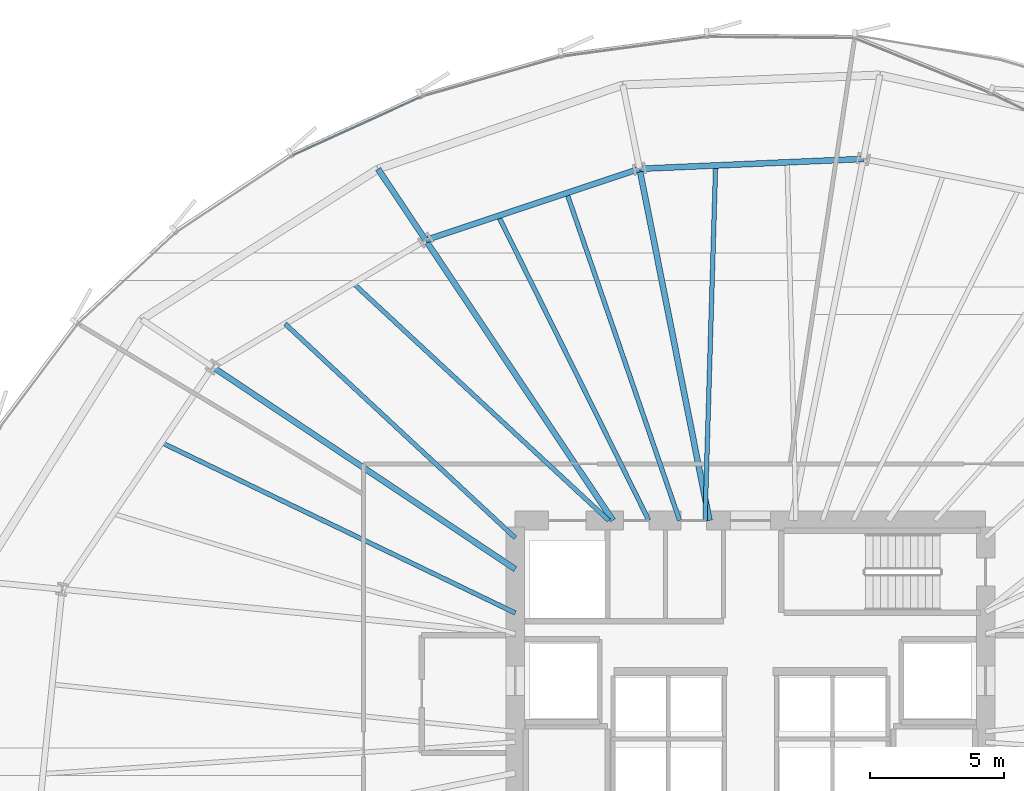
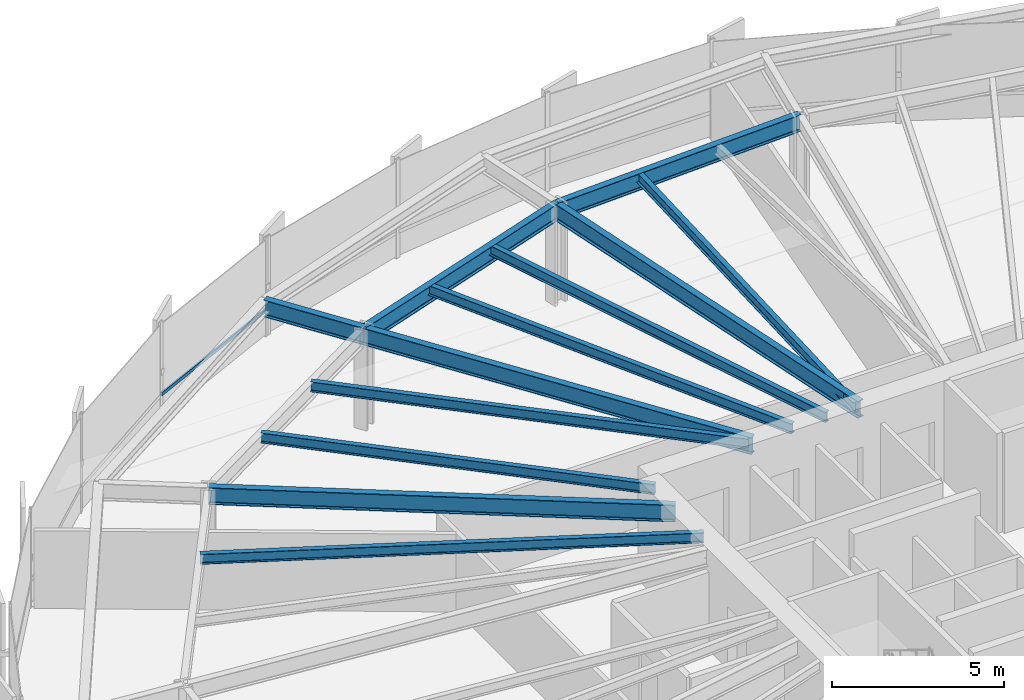
# One storey, part 20 of 39: 12 beams, 1 member, 1 element without a shape of its own.
"""IFC4 building model written with IfcOpenShell, lengths in metres."""

from ifc_helpers import new_model, si_unit, direction, frame, origin, origin_2d, place, context, subcontext, project, spatial, hollow_rectangle, i_section, extrude, source, transform, mapped, material, layer, layer_set, material_profile, profile_set, type_object, element, aggregate, save


model = new_model("IFC4")

# Units and contexts
model_context = context("Model", 3, precision=1e-05, world=origin(), true_north=direction((0.0, 1.0)))
body_context = subcontext(model_context, "Body", "Model", "MODEL_VIEW")
ifc_project = project(units=[si_unit("LENGTHUNIT", "METRE"), si_unit("AREAUNIT", "SQUARE_METRE"), si_unit("VOLUMEUNIT", "CUBIC_METRE"), si_unit("PLANEANGLEUNIT", "RADIAN"), si_unit("MASSUNIT", "GRAM", prefix="KILO"), si_unit("THERMODYNAMICTEMPERATUREUNIT", "KELVIN")], contexts=[model_context])

# Site, building, storey
site_placement = place(None, origin())
site = spatial("IfcSite", under=ifc_project, at=site_placement, CompositionType="ELEMENT")
building_placement = place(site_placement, origin())
building = spatial("IfcBuilding", under=site, at=building_placement, Name="Kethvar Cultural Tower", CompositionType="ELEMENT")
storey_placement = place(building_placement, frame((0.0, 0.0, 44.800048828125)))
storey = spatial("IfcBuildingStorey", under=building, at=storey_placement, Name="L10", CompositionType="ELEMENT", Elevation=44.800048828125)

# Beams
ifc_material_1 = material(Name="Steel S355J2", Category="steel")
ifc_material_profile_1 = material_profile(ifc_material_1, i_section(OverallWidth=0.219970703125, OverallDepth=0.60009765625, WebThickness=0.011962890625, FlangeThickness=0.01904296875, FilletRadius=0.02392578125, at=origin_2d()), Name="Steel S355J2 — IPE600")
ifc_profile_set_1 = profile_set([ifc_material_profile_1], Name="Steel S355J2 — IPE600")
beam_type_1 = type_object("IfcBeamType", Name="BM-IPE600", PredefinedType="BEAM", material=ifc_profile_set_1)
shared_shape_1 = source(origin(), body_context, "Body", "SweptSolid", [
    extrude(i_section(OverallWidth=0.219970703125, OverallDepth=0.60009765625, WebThickness=0.011962890625, FlangeThickness=0.01904296875, FilletRadius=0.02392578125, at=origin_2d()), origin(), (0.0, 0.0, 1.0), 3.199951171875),
])
beam_1_placement = place(storey_placement, frame((34.64599609375, 45.98974609375, 3.248046875), z_axis=(-0.555580212716, 0.831462943996, 0.0), x_axis=(-0.831462943996, -0.555580212716, 0.0)))
element("IfcBeam", 1, at=beam_1_placement, inside=storey, type_object=beam_type_1, Name="L10 Perimeter Cantilever Beam RC-06", PredefinedType="BEAM", context=body_context, shape_type="MappedRepresentation", body=[
    mapped(shared_shape_1, transform((0.0, 0.0, 0.0), scale=1.0)),
])
shared_shape_2 = source(origin(), body_context, "Body", "SweptSolid", [
    extrude(i_section(OverallWidth=0.219970703125, OverallDepth=0.60009765625, WebThickness=0.011962890625, FlangeThickness=0.01904296875, FilletRadius=0.02392578125, at=origin_2d()), origin(), (0.0, 0.0, 1.0), 13.41357421875),
])
beam_2_placement = place(storey_placement, frame((45.268310546875, 35.5, 3.248046875), z_axis=(-0.195079960025, 0.980787341474, 0.0), x_axis=(-0.980787341474, -0.195079960025, 0.0)))
element("IfcBeam", 2, at=beam_2_placement, inside=storey, type_object=beam_type_1, Name="L10 Primary Radial Beam RB-05", PredefinedType="BEAM", context=body_context, shape_type="MappedRepresentation", body=[
    mapped(shared_shape_2, transform((0.0, 0.0, 0.0), scale=1.0)),
])
shared_shape_3 = source(origin(), body_context, "Body", "SweptSolid", [
    extrude(i_section(OverallWidth=0.219970703125, OverallDepth=0.60009765625, WebThickness=0.011962890625, FlangeThickness=0.01904296875, FilletRadius=0.02392578125, at=origin_2d()), origin(), (0.0, 0.0, 1.0), 12.615966796875),
])
beam_3_placement = place(storey_placement, frame((41.655029296875, 35.5, 3.248046875), z_axis=(-0.555570723257, 0.831469284736, 0.0), x_axis=(-0.831469284736, -0.555570723257, 0.0)))
element("IfcBeam", 3, at=beam_3_placement, inside=storey, type_object=beam_type_1, Name="L10 Primary Radial Beam RB-06", PredefinedType="BEAM", context=body_context, shape_type="MappedRepresentation", body=[
    mapped(shared_shape_3, transform((0.0, 0.0, 0.0), scale=1.0)),
])
shared_shape_4 = source(origin(), body_context, "Body", "SweptSolid", [
    extrude(i_section(OverallWidth=0.219970703125, OverallDepth=0.60009765625, WebThickness=0.011962890625, FlangeThickness=0.01904296875, FilletRadius=0.02392578125, at=origin_2d()), origin(), (0.0, 0.0, 1.0), 13.60888671875),
])
beam_4_placement = place(storey_placement, frame((38.0, 33.679931640625, 3.248046875), z_axis=(-0.831467486755, 0.555573414113, 0.0), x_axis=(-0.555573414113, -0.831467486755, 0.0)))
element("IfcBeam", 4, at=beam_4_placement, inside=storey, type_object=beam_type_1, Name="L10 Primary Radial Beam RB-07", PredefinedType="BEAM", context=body_context, shape_type="MappedRepresentation", body=[
    mapped(shared_shape_4, transform((0.0, 0.0, 0.0), scale=1.0)),
])
shared_shape_5 = source(origin(), body_context, "Body", "SweptSolid", [
    extrude(i_section(OverallWidth=0.219970703125, OverallDepth=0.60009765625, WebThickness=0.011962890625, FlangeThickness=0.01904296875, FilletRadius=0.02392578125, at=origin_2d()), origin(), (0.0, 0.0, 1.0), 8.378662109375),
])
beam_5_placement = place(storey_placement, frame((51.022216796875, 49.02587890625, 3.248046875), z_axis=(-0.999023890534, -0.04417313825, 0.0), x_axis=(0.04417313825, -0.999023890534, 0.0)))
element("IfcBeam", 5, at=beam_5_placement, inside=storey, type_object=beam_type_1, Name="L10 Column Ring Tie Beam CR-04", PredefinedType="BEAM", context=body_context, shape_type="MappedRepresentation", body=[
    mapped(shared_shape_5, transform((0.0, 0.0, 0.0), scale=1.0)),
])
ifc_material_profile_2 = material_profile(ifc_material_1, i_section(OverallWidth=0.169921875, OverallDepth=0.360107421875, WebThickness=0.008056640625, FlangeThickness=0.0126953125, FilletRadius=0.01806640625, at=origin_2d()), Name="Steel S355J2 — IPE360")
ifc_profile_set_2 = profile_set([ifc_material_profile_2], Name="Steel S355J2 — IPE360")
beam_type_2 = type_object("IfcBeamType", Name="BM-J360", PredefinedType="JOIST", material=ifc_profile_set_2)
shared_shape_6 = source(origin(), body_context, "Body", "SweptSolid", [
    extrude(i_section(OverallWidth=0.169921875, OverallDepth=0.360107421875, WebThickness=0.008056640625, FlangeThickness=0.0126953125, FilletRadius=0.01806640625, at=origin_2d()), origin(), (0.0, 0.0, 1.0), 13.287353515625),
])
beam_6_placement = place(storey_placement, frame((45.10009765625, 35.5, 3.367919921875), z_axis=(0.029912529234, 0.999552520178, 0.0), x_axis=(-0.999552520178, 0.029912529234, 0.0)))
element("IfcBeam", 6, at=beam_6_placement, inside=storey, type_object=beam_type_2, Name="L10 Composite Floor Joist J-04B", PredefinedType="JOIST", context=body_context, shape_type="MappedRepresentation", body=[
    mapped(shared_shape_6, transform((0.0, 0.0, 0.0), scale=1.0)),
])
shared_shape_7 = source(origin(), body_context, "Body", "SweptSolid", [
    extrude(i_section(OverallWidth=0.219970703125, OverallDepth=0.60009765625, WebThickness=0.011962890625, FlangeThickness=0.01904296875, FilletRadius=0.02392578125, at=origin_2d()), origin(), (0.0, 0.0, 1.0), 8.437744140625),
])
beam_7_placement = place(storey_placement, frame((42.651611328125, 48.65576171875, 3.248046875), z_axis=(-0.948772955115, -0.315958667618, 0.0), x_axis=(0.315958667618, -0.948772955115, 0.0)))
element("IfcBeam", 7, at=beam_7_placement, inside=storey, type_object=beam_type_1, Name="L10 Column Ring Tie Beam CR-05", PredefinedType="BEAM", context=body_context, shape_type="MappedRepresentation", body=[
    mapped(shared_shape_7, transform((0.0, 0.0, 0.0), scale=1.0)),
])
shared_shape_8 = source(origin(), body_context, "Body", "SweptSolid", [
    extrude(i_section(OverallWidth=0.169921875, OverallDepth=0.360107421875, WebThickness=0.008056640625, FlangeThickness=0.0126953125, FilletRadius=0.01806640625, at=origin_2d()), origin(), (0.0, 0.0, 1.0), 12.955322265625),
])
beam_8_placement = place(storey_placement, frame((44.148193359375, 35.5, 3.367919921875), z_axis=(-0.325619549533, 0.945500877293, 0.0), x_axis=(-0.945500877293, -0.325619549533, 0.0)))
element("IfcBeam", 8, at=beam_8_placement, inside=storey, type_object=beam_type_2, Name="L10 Composite Floor Joist J-05A", PredefinedType="JOIST", context=body_context, shape_type="MappedRepresentation", body=[
    mapped(shared_shape_8, transform((0.0, 0.0, 0.0), scale=1.0)),
])
shared_shape_9 = source(origin(), body_context, "Body", "SweptSolid", [
    extrude(i_section(OverallWidth=0.169921875, OverallDepth=0.360107421875, WebThickness=0.008056640625, FlangeThickness=0.0126953125, FilletRadius=0.01806640625, at=origin_2d()), origin(), (0.0, 0.0, 1.0), 12.710693359375),
])
beam_9_placement = place(storey_placement, frame((42.996826171875, 35.5, 3.367919921875), z_axis=(-0.442851992051, 0.896594731825, 0.0), x_axis=(-0.896594731825, -0.442851992051, 0.0)))
element("IfcBeam", 9, at=beam_9_placement, inside=storey, type_object=beam_type_2, Name="L10 Composite Floor Joist J-05B", PredefinedType="JOIST", context=body_context, shape_type="MappedRepresentation", body=[
    mapped(shared_shape_9, transform((0.0, 0.0, 0.0), scale=1.0)),
])
shared_shape_10 = source(origin(), body_context, "Body", "SweptSolid", [
    extrude(i_section(OverallWidth=0.169921875, OverallDepth=0.360107421875, WebThickness=0.008056640625, FlangeThickness=0.0126953125, FilletRadius=0.01806640625, at=origin_2d()), origin(), (0.0, 0.0, 1.0), 13.045166015625),
])
beam_10_placement = place(storey_placement, frame((41.5, 35.5, 3.367919921875), z_axis=(-0.732903465528, 0.680332646737, 0.0), x_axis=(-0.680332646737, -0.732903465528, 0.0)))
element("IfcBeam", 10, at=beam_10_placement, inside=storey, type_object=beam_type_2, Name="L10 Composite Floor Joist J-06A", PredefinedType="JOIST", context=body_context, shape_type="MappedRepresentation", body=[
    mapped(shared_shape_10, transform((0.0, 0.0, 0.0), scale=1.0)),
])
shared_shape_11 = source(origin(), body_context, "Body", "SweptSolid", [
    extrude(i_section(OverallWidth=0.169921875, OverallDepth=0.360107421875, WebThickness=0.008056640625, FlangeThickness=0.0126953125, FilletRadius=0.01806640625, at=origin_2d()), origin(), (0.0, 0.0, 1.0), 11.75537109375),
])
beam_11_placement = place(storey_placement, frame((38.0, 34.85009765625, 3.367919921875), z_axis=(-0.732290300234, 0.680992596276, 0.0), x_axis=(-0.680992596276, -0.732290300234, 0.0)))
element("IfcBeam", 11, at=beam_11_placement, inside=storey, type_object=beam_type_2, Name="L10 Composite Floor Joist J-06B", PredefinedType="JOIST", context=body_context, shape_type="MappedRepresentation", body=[
    mapped(shared_shape_11, transform((0.0, 0.0, 0.0), scale=1.0)),
])
shared_shape_12 = source(origin(), body_context, "Body", "SweptSolid", [
    extrude(i_section(OverallWidth=0.169921875, OverallDepth=0.360107421875, WebThickness=0.008056640625, FlangeThickness=0.0126953125, FilletRadius=0.01806640625, at=origin_2d()), origin(), (0.0, 0.0, 1.0), 14.687255859375),
])
beam_12_placement = place(storey_placement, frame((38.0, 32.038818359375, 3.367919921875), z_axis=(-0.900928984091, 0.433966548971, 0.0), x_axis=(-0.433966548971, -0.900928984091, 0.0)))
element("IfcBeam", 12, at=beam_12_placement, inside=storey, type_object=beam_type_2, Name="L10 Composite Floor Joist J-07A", PredefinedType="JOIST", context=body_context, shape_type="MappedRepresentation", body=[
    mapped(shared_shape_12, transform((0.0, 0.0, 0.0), scale=1.0)),
])

# Curtain wall, member
ifc_material_2 = material(Name="Aluminium 6063-T6", Category="aluminium")
ifc_layer = layer(ifc_material_2, 0.179931640625, Name="Aluminium 6063-T6", Category="aluminium")
ifc_layer_set = layer_set([ifc_layer], Name="Aluminium 6063-T6 (180 mm)")
curtain_wall_type = type_object("IfcCurtainWallType", Name="CW-SYS-02-Z1", PredefinedType="NOTDEFINED", material=ifc_layer_set)
curtain_wall_placement = place(storey_placement, origin())
curtain_wall = element("IfcCurtainWall", 13, at=curtain_wall_placement, inside=storey, type_object=curtain_wall_type, Name="L10 Curtain Wall Run 03", PredefinedType="NOTDEFINED")
ifc_material_profile_3 = material_profile(ifc_material_2, hollow_rectangle(XDim=0.054931640625, YDim=0.1201171875, WallThickness=0.00390625, at=origin_2d()), Name="Aluminium 6063-T6 — RHS120x55x4")
ifc_profile_set_3 = profile_set([ifc_material_profile_3], Name="Aluminium 6063-T6 — RHS120x55x4")
member_type = type_object("IfcMemberType", Name="CW-SYS-02-Z1-TRN", PredefinedType="USERDEFINED", material=ifc_profile_set_3)
shared_shape_13 = source(origin(), body_context, "Body", "SweptSolid", [
    extrude(hollow_rectangle(XDim=0.054931640625, YDim=0.1201171875, WallThickness=0.00390625, at=origin_2d()), origin(), (0.0, 0.0, 1.0), 5.26318359375),
])
member_placement = place(storey_placement, frame((34.463623046875, 51.342041015625, 0.949951171875), z_axis=(-0.909814439185, -0.415015284358, 0.0), x_axis=(0.415015284358, -0.909814439185, 0.0)))
member = element("IfcMember", 14, at=member_placement, type_object=member_type, Name="CW-L10-R03 Transom 1", ObjectType="TRANSOM", PredefinedType="USERDEFINED", context=body_context, shape_type="MappedRepresentation", body=[
    mapped(shared_shape_13, transform((0.0, 0.0, 0.0), scale=1.0)),
])
aggregate(curtain_wall, [member])

save(model, "model.ifc")
